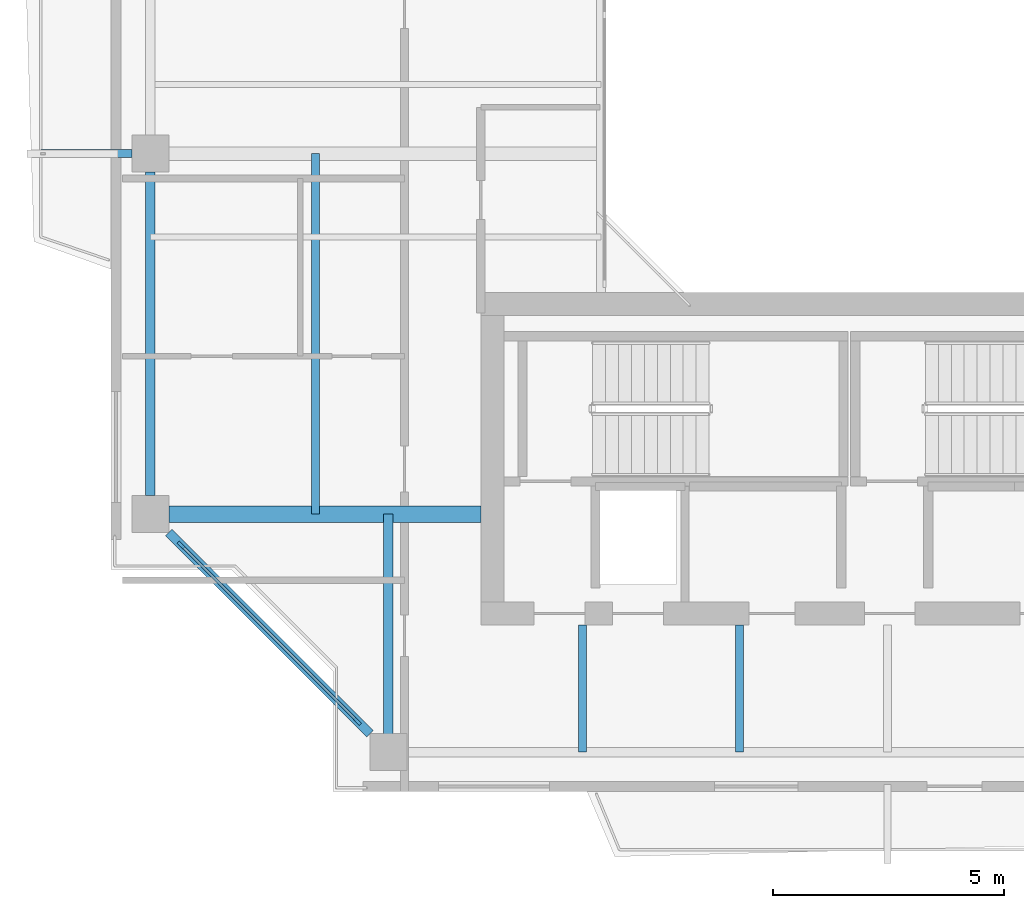
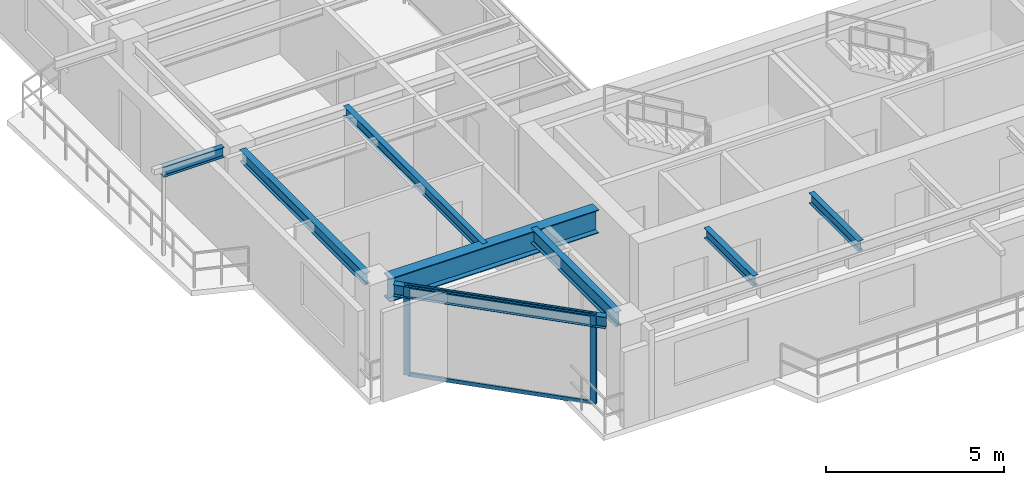
# One storey, part 2 of 15: 8 beams, 4 members, 1 element without a shape of its own.
"""IFC4 building model written with IfcOpenShell, lengths in metres."""

from ifc_helpers import new_model, si_unit, direction, frame, origin, origin_2d, place, context, subcontext, project, spatial, rectangle, i_section, extrude, source, transform, mapped, material, layer, layer_set, material_profile, profile_set, type_object, element, aggregate, save


model = new_model("IFC4")

# Units and contexts
model_context = context("Model", 3, precision=1e-05, world=origin(), true_north=direction((0.0, 1.0)))
body_context = subcontext(model_context, "Body", "Model", "MODEL_VIEW")
ifc_project = project(units=[si_unit("LENGTHUNIT", "METRE"), si_unit("AREAUNIT", "SQUARE_METRE"), si_unit("VOLUMEUNIT", "CUBIC_METRE"), si_unit("PLANEANGLEUNIT", "RADIAN"), si_unit("MASSUNIT", "GRAM", prefix="KILO"), si_unit("THERMODYNAMICTEMPERATUREUNIT", "KELVIN"), si_unit("POWERUNIT", "WATT")], contexts=[model_context])

# Site, building, storey
site_placement = place(None, origin())
site = spatial("IfcSite", under=ifc_project, at=site_placement, CompositionType="ELEMENT")
building_placement = place(site_placement, origin())
building = spatial("IfcBuilding", under=site, at=building_placement, Name="Qiaomeng Ring Towers", CompositionType="ELEMENT")
storey_placement = place(building_placement, frame((0.0, 0.0, 206.75)))
storey = spatial("IfcBuildingStorey", under=building, at=storey_placement, Name="L60", CompositionType="ELEMENT", Elevation=206.75)

# Beams
ifc_material_1 = material(Name="Steel Q355B", Category="steel")
ifc_material_profile_1 = material_profile(ifc_material_1, i_section(OverallWidth=0.198974609375, OverallDepth=0.39599609375, WebThickness=0.007080078125, FlangeThickness=0.010986328125, FilletRadius=0.01611328125, at=origin_2d()), Name="HN 396x199x7x11")
ifc_profile_set_1 = profile_set([ifc_material_profile_1], Name="Steel Q355B")
beam_type_1 = type_object("IfcBeamType", Name="STR-BM-HN396", PredefinedType="SPANDREL", material=ifc_profile_set_1)
shared_shape_1 = source(origin(), body_context, "Body", "SweptSolid", [
    extrude(i_section(OverallWidth=0.198974609375, OverallDepth=0.39599609375, WebThickness=0.007080078125, FlangeThickness=0.010986328125, FilletRadius=0.01611328125, at=origin_2d()), origin(), (0.0, 0.0, 1.0), 6.154052734375),
])
beam_1_placement = place(storey_placement, frame((3.44921875, 11.80078125, 2.8720703125), z_axis=(0.707106781187, -0.707106781187, 0.0), x_axis=(0.707106781187, 0.707106781187, 0.0)))
element("IfcBeam", 1, at=beam_1_placement, inside=storey, type_object=beam_type_1, Name="L60 beam STR-SP-L60-T1-W1-S1", PredefinedType="SPANDREL", context=body_context, shape_type="MappedRepresentation", body=[
    mapped(shared_shape_1, transform((0.0, 0.0, 0.0), x_axis=(1.0, 0.0, 0.0), y_axis=(0.0, 1.0, 0.0), z_axis=(0.0, 0.0, 1.0), scale=1.0)),
])
shared_shape_2 = source(origin(), body_context, "Body", "SweptSolid", [
    extrude(i_section(OverallWidth=0.198974609375, OverallDepth=0.39599609375, WebThickness=0.007080078125, FlangeThickness=0.010986328125, FilletRadius=0.01611328125, at=origin_2d()), origin(), (0.0, 0.0, 1.0), 7.001953125),
])
beam_2_placement = place(storey_placement, frame((3.050048828125, 19.60107421875, 2.8720703125), z_axis=(0.0, -1.0, 0.0), x_axis=(1.0, 0.0, 0.0)))
element("IfcBeam", 2, at=beam_2_placement, inside=storey, type_object=beam_type_1, Name="L60 beam STR-SP-L60-T1-W2-W1", PredefinedType="SPANDREL", context=body_context, shape_type="MappedRepresentation", body=[
    mapped(shared_shape_2, transform((0.0, 0.0, 0.0), x_axis=(1.0, 0.0, 0.0), y_axis=(0.0, 1.0, 0.0), z_axis=(0.0, 0.0, 1.0), scale=1.0)),
])
ifc_material_2 = material(Name="Steel Q390GJC", Category="steel")
ifc_material_profile_2 = material_profile(ifc_material_2, i_section(OverallWidth=0.35009765625, OverallDepth=0.800048828125, WebThickness=0.01611328125, FlangeThickness=0.028076171875, at=origin_2d()), Name="WH 800x350x16x28")
ifc_profile_set_2 = profile_set([ifc_material_profile_2], Name="Steel Q390GJC")
beam_type_2 = type_object("IfcBeamType", Name="STR-BM-WH800", PredefinedType="BEAM", material=ifc_profile_set_2)
shared_shape_3 = source(origin(), body_context, "Body", "SweptSolid", [
    extrude(i_section(OverallWidth=0.35009765625, OverallDepth=0.800048828125, WebThickness=0.01611328125, FlangeThickness=0.028076171875, at=origin_2d()), origin(), (0.0, 0.0, 1.0), 6.7509765625),
])
beam_3_placement = place(storey_placement, frame((3.448974609375, 12.199951171875, 2.669921875), z_axis=(1.0, 0.0, 0.0), x_axis=(0.0, 1.0, 0.0)))
element("IfcBeam", 3, at=beam_3_placement, inside=storey, type_object=beam_type_2, Name="L60 beam STR-BM-L60-T1-RAD-W1", PredefinedType="BEAM", context=body_context, shape_type="MappedRepresentation", body=[
    mapped(shared_shape_3, transform((0.0, 0.0, 0.0), x_axis=(1.0, 0.0, 0.0), y_axis=(0.0, 1.0, 0.0), z_axis=(0.0, 0.0, 1.0), scale=1.0)),
])
ifc_material_profile_3 = material_profile(ifc_material_1, i_section(OverallWidth=0.199951171875, OverallDepth=0.5, WebThickness=0.010009765625, FlangeThickness=0.01611328125, FilletRadius=0.02001953125, at=origin_2d()), Name="HN 500x200x10x16")
ifc_profile_set_3 = profile_set([ifc_material_profile_3], Name="Steel Q355B")
beam_type_3 = type_object("IfcBeamType", Name="STR-BM-HN500", PredefinedType="BEAM", material=ifc_profile_set_3)
shared_shape_4 = source(origin(), body_context, "Body", "SweptSolid", [
    extrude(i_section(OverallWidth=0.199951171875, OverallDepth=0.5, WebThickness=0.010009765625, FlangeThickness=0.01611328125, FilletRadius=0.02001953125, at=origin_2d()), origin(), (0.0, 0.0, 1.0), 4.7509765625),
])
beam_4_placement = place(storey_placement, frame((8.199951171875, 7.448974609375, 2.820068359375), z_axis=(0.0, 1.0, 0.0), x_axis=(-1.0, 0.0, 0.0)))
element("IfcBeam", 4, at=beam_4_placement, inside=storey, type_object=beam_type_3, Name="L60 beam STR-BM-L60-T1-RAD-S1", PredefinedType="BEAM", context=body_context, shape_type="MappedRepresentation", body=[
    mapped(shared_shape_4, transform((0.0, 0.0, 0.0), x_axis=(1.0, 0.0, 0.0), y_axis=(0.0, 1.0, 0.0), z_axis=(0.0, 0.0, 1.0), scale=1.0)),
])
ifc_material_profile_4 = material_profile(ifc_material_1, i_section(OverallWidth=0.175048828125, OverallDepth=0.35009765625, WebThickness=0.007080078125, FlangeThickness=0.010986328125, FilletRadius=0.013916015625, at=origin_2d()), Name="HN 350x175x7x11")
ifc_profile_set_4 = profile_set([ifc_material_profile_4], Name="Steel Q355B")
beam_type_4 = type_object("IfcBeamType", Name="STR-BM-HN350", PredefinedType="JOIST", material=ifc_profile_set_4)
shared_shape_5 = source(origin(), body_context, "Body", "SweptSolid", [
    extrude(i_section(OverallWidth=0.175048828125, OverallDepth=0.35009765625, WebThickness=0.007080078125, FlangeThickness=0.010986328125, FilletRadius=0.013916015625, at=origin_2d()), origin(), (0.0, 0.0, 1.0), 1.970947265625),
])
beam_5_placement = place(storey_placement, frame((0.679931640625, 20.0, 2.89501953125), z_axis=(1.0, 0.0, 0.0), x_axis=(0.0, 1.0, 0.0)))
element("IfcBeam", 5, at=beam_5_placement, inside=storey, type_object=beam_type_4, Name="L60 beam STR-BALBM-L60-W2", PredefinedType="JOIST", context=body_context, shape_type="MappedRepresentation", body=[
    mapped(shared_shape_5, transform((0.0, 0.0, 0.0), x_axis=(1.0, 0.0, 0.0), y_axis=(0.0, 1.0, 0.0), z_axis=(0.0, 0.0, 1.0), scale=1.0)),
])
shared_shape_6 = source(origin(), body_context, "Body", "SweptSolid", [
    extrude(i_section(OverallWidth=0.175048828125, OverallDepth=0.35009765625, WebThickness=0.007080078125, FlangeThickness=0.010986328125, FilletRadius=0.013916015625, at=origin_2d()), origin(), (0.0, 0.0, 1.0), 2.75),
])
for number, where, z_axis, x_axis, name in (
    (6, (12.39990234375, 7.050048828125, 2.89501953125), (0.0, 1.0, 0.0), (-1.0, 0.0, 0.0), "L60 beam STR-JST-L60-T1S-1"),
    (7, (15.800048828125, 7.050048828125, 2.89501953125), (0.0, 1.0, 0.0), (-1.0, 0.0, 0.0), "L60 beam STR-JST-L60-T1S-2"),
):
    element("IfcBeam", number, at=place(storey_placement, frame(where, z_axis=z_axis, x_axis=x_axis)), inside=storey, type_object=beam_type_4, Name=name, PredefinedType="JOIST", context=body_context, shape_type="MappedRepresentation", body=[
        mapped(shared_shape_6, transform((0.0, 0.0, 0.0), x_axis=(1.0, 0.0, 0.0), y_axis=(0.0, 1.0, 0.0), z_axis=(0.0, 0.0, 1.0), scale=1.0)),
    ])
shared_shape_7 = source(origin(), body_context, "Body", "SweptSolid", [
    extrude(i_section(OverallWidth=0.175048828125, OverallDepth=0.35009765625, WebThickness=0.007080078125, FlangeThickness=0.010986328125, FilletRadius=0.013916015625, at=origin_2d()), origin(), (0.0, 0.0, 1.0), 7.800048828125),
])
beam_6_placement = place(storey_placement, frame((6.625, 12.199951171875, 2.89501953125), z_axis=(0.0, 1.0, 0.0), x_axis=(-1.0, 0.0, 0.0)))
element("IfcBeam", 8, at=beam_6_placement, inside=storey, type_object=beam_type_4, Name="L60 beam STR-JST-L60-T1C-WS", PredefinedType="JOIST", context=body_context, shape_type="MappedRepresentation", body=[
    mapped(shared_shape_7, transform((0.0, 0.0, 0.0), x_axis=(1.0, 0.0, 0.0), y_axis=(0.0, 1.0, 0.0), z_axis=(0.0, 0.0, 1.0), scale=1.0)),
])

# Curtain wall, members
ifc_material_3 = material(Name="Fluorocarbon dark-grey aluminium", Category="aluminium")
ifc_layer = layer(ifc_material_3, 0.14990234375, Name="Fluorocarbon dark-grey aluminium")
ifc_layer_set = layer_set([ifc_layer], Name="Fluorocarbon dark-grey aluminium")
curtain_wall_type = type_object("IfcCurtainWallType", Name="ARC-CW-3", PredefinedType="NOTDEFINED", material=ifc_layer_set)
curtain_wall_placement = place(storey_placement, origin())
curtain_wall = element("IfcCurtainWall", 9, at=curtain_wall_placement, inside=storey, type_object=curtain_wall_type, Name="L60 Curtain Wall CW3", PredefinedType="NOTDEFINED")
ifc_material_profile_5 = material_profile(ifc_material_3, rectangle(XDim=0.070068359375, YDim=0.179931640625, at=origin_2d()), Name="ALU MULL 70x180")
ifc_profile_set_5 = profile_set([ifc_material_profile_5], Name="Fluorocarbon dark-grey aluminium")
member_type_1 = type_object("IfcMemberType", Name="ARC-CWM-160", PredefinedType="MULLION", material=ifc_profile_set_5)
shared_shape_8 = source(origin(), body_context, "Body", "SweptSolid", [
    extrude(rectangle(XDim=0.070068359375, YDim=0.179931640625, at=origin_2d()), origin(), (0.0, 0.0, 1.0), 3.070068359375),
])
member_1_placement = place(storey_placement, frame((3.71484375, 11.53515625, 0.0), z_axis=(0.0, 0.0, 1.0), x_axis=(0.707106781187, 0.707106781187, 0.0)))
member_1 = element("IfcMember", 10, at=member_1_placement, type_object=member_type_1, Name="CW3 mullion 1", PredefinedType="MULLION", context=body_context, shape_type="MappedRepresentation", body=[
    mapped(shared_shape_8, transform((0.0, 0.0, 0.0), x_axis=(1.0, 0.0, 0.0), y_axis=(0.0, 1.0, 0.0), z_axis=(0.0, 0.0, 1.0), scale=1.0)),
])
member_2_placement = place(storey_placement, frame((7.53515625, 7.71484375, 0.0), z_axis=(0.0, 0.0, 1.0), x_axis=(0.707106781187, 0.707106781187, 0.0)))
member_2 = element("IfcMember", 11, at=member_2_placement, type_object=member_type_1, Name="CW3 mullion 2", PredefinedType="MULLION", context=body_context, shape_type="MappedRepresentation", body=[
    mapped(shared_shape_8, transform((0.0, 0.0, 0.0), x_axis=(1.0, 0.0, 0.0), y_axis=(0.0, 1.0, 0.0), z_axis=(0.0, 0.0, 1.0), scale=1.0)),
])
ifc_material_profile_6 = material_profile(ifc_material_3, rectangle(XDim=0.06494140625, YDim=0.1298828125, at=origin_2d()), Name="ALU TRAN 65x130")
ifc_profile_set_6 = profile_set([ifc_material_profile_6], Name="Fluorocarbon dark-grey aluminium")
member_type_2 = type_object("IfcMemberType", Name="ARC-CWT-120", PredefinedType="USERDEFINED", material=ifc_profile_set_6)
shared_shape_9 = source(origin(), body_context, "Body", "SweptSolid", [
    extrude(rectangle(XDim=0.06494140625, YDim=0.1298828125, at=origin_2d()), origin(), (0.0, 0.0, 1.0), 5.3330078125),
])
member_3_placement = place(storey_placement, frame((3.739501953125, 11.510498046875, 0.032470703125), z_axis=(0.707106781187, -0.707106781187, 0.0), x_axis=(0.707106781187, 0.707106781187, 0.0)))
member_3 = element("IfcMember", 12, at=member_3_placement, type_object=member_type_2, Name="CW3 transom 1.1", ObjectType="TRANSOM", PredefinedType="USERDEFINED", context=body_context, shape_type="MappedRepresentation", body=[
    mapped(shared_shape_9, transform((0.0, 0.0, 0.0), x_axis=(1.0, 0.0, 0.0), y_axis=(0.0, 1.0, 0.0), z_axis=(0.0, 0.0, 1.0), scale=1.0)),
])
member_4_placement = place(storey_placement, frame((3.739501953125, 11.510498046875, 3.03759765625), z_axis=(0.707106781187, -0.707106781187, 0.0), x_axis=(0.707106781187, 0.707106781187, 0.0)))
member_4 = element("IfcMember", 13, at=member_4_placement, type_object=member_type_2, Name="CW3 transom 1.2", ObjectType="TRANSOM", PredefinedType="USERDEFINED", context=body_context, shape_type="MappedRepresentation", body=[
    mapped(shared_shape_9, transform((0.0, 0.0, 0.0), x_axis=(1.0, 0.0, 0.0), y_axis=(0.0, 1.0, 0.0), z_axis=(0.0, 0.0, 1.0), scale=1.0)),
])
aggregate(curtain_wall, [member_1, member_2, member_3, member_4])

save(model, "model.ifc")
